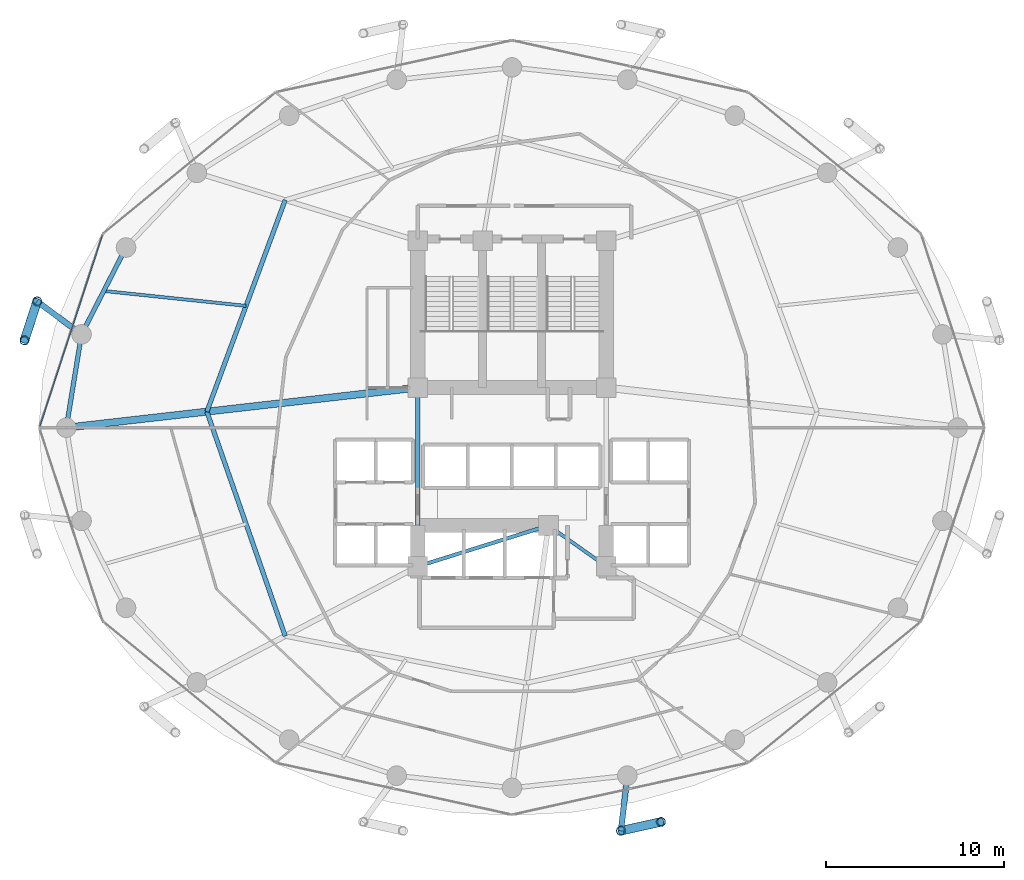
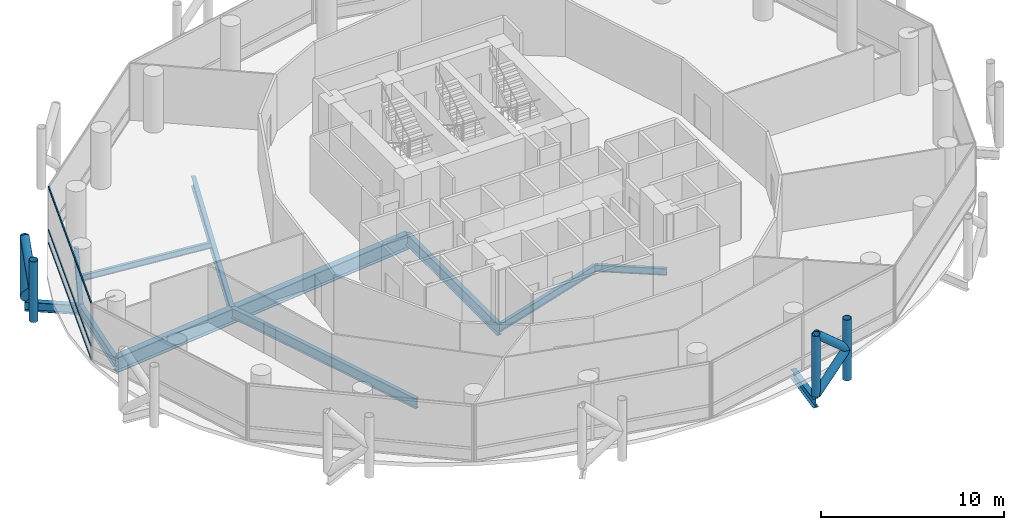
# One storey, part 7 of 24: 11 beams, 11 members, 1 element without a shape of its own.
"""IFC4 building model written with IfcOpenShell, lengths in metres."""

import ifcopenshell
import ifcopenshell.guid

model = None  # the IFC model being written
_history = None  # IfcOwnerHistory: only IFC2X3 demands one
_inside = {}  # id of a spatial element -> (the spatial element, [elements in it])
_under = {}  # id of a project, library or spatial element -> (it, [spatial elements below it])
_declared = {}  # id of a project -> (the project, [libraries it declares])
_typed = {}  # id of a type object -> (the type object, [elements of that type])
_made_of = {}  # id of a material, layer set ... -> (it, [elements and type objects made of it])


def new_model(schema):
    """Start an empty IFC model of exactly this schema.

    Asked for "IFC4X3", IfcOpenShell would pick the latest addendum, in which some entities
    have other attributes; the version numbers below select the first issue.
    IFC2X3 requires an IfcOwnerHistory on every rooted entity: one is made here for all.
    """
    global model, _history
    if schema == "IFC4X3":
        model = ifcopenshell.file(schema_version=(4, 3, 0, 0))
    else:
        model = ifcopenshell.file(schema=schema)
    _inside.clear()
    _under.clear()
    _declared.clear()
    _typed.clear()
    _made_of.clear()
    _history = None
    if model.schema == "IFC2X3":
        org = make("IfcOrganization", Name="unknown")
        user = make(
            "IfcPersonAndOrganization",
            ThePerson=make("IfcPerson", FamilyName="unknown"),
            TheOrganization=org,
        )
        app = make(
            "IfcApplication",
            ApplicationDeveloper=org,
            Version="unknown",
            ApplicationFullName="unknown",
            ApplicationIdentifier="unknown",
        )
        _history = make(
            "IfcOwnerHistory",
            OwningUser=user,
            OwningApplication=app,
            ChangeAction="ADDED",
            CreationDate=0,
        )
    return model


def make(cls, **values):
    """One entity of the class cls with the attributes given. An attribute that is None is left unset."""
    return model.create_entity(
        cls, **{name: value for name, value in values.items() if value is not None}
    )


def rooted(cls, **values):
    """An entity with a GlobalId (a new one), such as an element, a storey or a relation."""
    return make(cls, GlobalId=ifcopenshell.guid.new(), OwnerHistory=_history, **values)


def si_unit(unit_type, name, prefix=None):
    """IfcSIUnit, for example si_unit("LENGTHUNIT", "METRE", prefix="MILLI")."""
    return make("IfcSIUnit", UnitType=unit_type, Prefix=prefix, Name=name)


def assignment(units):
    """IfcUnitAssignment: the units of a project."""
    return None if units is None else make("IfcUnitAssignment", Units=units)


def point(xyz):
    """IfcCartesianPoint."""
    return None if xyz is None else make("IfcCartesianPoint", Coordinates=xyz)


def direction(xyz):
    """IfcDirection."""
    return None if xyz is None else make("IfcDirection", DirectionRatios=xyz)


def frame(location, z_axis=None, x_axis=None):
    """IfcAxis2Placement3D, a coordinate frame: its origin and axes. An axis left out is left unset."""
    return make(
        "IfcAxis2Placement3D",
        Location=point(location),
        Axis=direction(z_axis),
        RefDirection=direction(x_axis),
    )


def frame_2d(location, x_axis=None):
    """IfcAxis2Placement2D, a coordinate frame in the plane: its origin and x axis."""
    return make(
        "IfcAxis2Placement2D", Location=point(location), RefDirection=direction(x_axis)
    )


def origin():
    """The frame at (0, 0, 0) with its axes left unset."""
    return frame((0.0, 0.0, 0.0))


def origin_2d():
    """The frame at (0, 0) in the plane with its x axis left unset."""
    return frame_2d((0.0, 0.0))


def place(relative_to, where):
    """IfcLocalPlacement: puts the frame where relative to a parent placement (None: the world)."""
    return make(
        "IfcLocalPlacement", PlacementRelTo=relative_to, RelativePlacement=where
    )


def context(
    kind, dimensions, precision=None, world=None, true_north=None, identifier=None
):
    """IfcGeometricRepresentationContext, for example the 3D "Model" context."""
    return make(
        "IfcGeometricRepresentationContext",
        ContextIdentifier=identifier,
        ContextType=kind,
        CoordinateSpaceDimension=dimensions,
        Precision=precision,
        WorldCoordinateSystem=world,
        TrueNorth=true_north,
    )


def subcontext(parent, identifier, kind, view, scale=None):
    """IfcGeometricRepresentationSubContext, for example "Body" below "Model"."""
    return make(
        "IfcGeometricRepresentationSubContext",
        ContextIdentifier=identifier,
        ContextType=kind,
        ParentContext=parent,
        TargetScale=scale,
        TargetView=view,
    )


def project(units=None, contexts=None):
    """IfcProject with its units and contexts."""
    return rooted(
        "IfcProject",
        Name="project",
        RepresentationContexts=contexts,
        UnitsInContext=assignment(units),
    )


def spatial(cls, under=None, at=None, **own):
    """A site, building, storey or space (cls), placed at a placement, below another one or the project."""
    s = rooted(cls, ObjectPlacement=at, **own)
    if under is not None:
        _under.setdefault(under.id(), (under, []))[1].append(s)
    return s


def profile(cls, at=None, kind="AREA", **sizes):
    """A parametric profile (cls). Its sizes go by their IFC names, for example OverallWidth=200.0."""
    return make(cls, ProfileType=kind, Position=at, **sizes)


def hollow_rectangle(**sizes):
    """IfcRectangleHollowProfileDef."""
    return profile("IfcRectangleHollowProfileDef", **sizes)


def hollow_circle(**sizes):
    """IfcCircleHollowProfileDef."""
    return profile("IfcCircleHollowProfileDef", **sizes)


def i_section(**sizes):
    """IfcIShapeProfileDef."""
    return profile("IfcIShapeProfileDef", **sizes)


def extrude(swept, where, along, depth):
    """IfcExtrudedAreaSolid: the profile swept, set in the frame where, extruded along a direction by depth."""
    return make(
        "IfcExtrudedAreaSolid",
        SweptArea=swept,
        Position=where,
        ExtrudedDirection=direction(along),
        Depth=depth,
    )


def shape(context_of_items, identifier, shape_type, items):
    """IfcShapeRepresentation: the items that make up one representation, for example the "Body"."""
    return make(
        "IfcShapeRepresentation",
        ContextOfItems=context_of_items,
        RepresentationIdentifier=identifier,
        RepresentationType=shape_type,
        Items=items,
    )


def material(Name=None, Category=None):
    """IfcMaterial."""
    return make("IfcMaterial", Name=Name, Category=Category)


def layer(
    of_material, thickness, ventilated=None, Name=None, Category=None, Priority=None
):
    """IfcMaterialLayer: one layer of a wall or slab, of a material (None: an air gap)."""
    return make(
        "IfcMaterialLayer",
        Material=of_material,
        LayerThickness=thickness,
        IsVentilated=ventilated,
        Name=Name,
        Category=Category,
        Priority=Priority,
    )


def layer_set(layers, Name=None):
    """IfcMaterialLayerSet."""
    return make("IfcMaterialLayerSet", MaterialLayers=layers, LayerSetName=Name)


def material_profile(
    of_material, cross_section, Name=None, Category=None, Priority=None
):
    """IfcMaterialProfile: a cross section and its material."""
    return make(
        "IfcMaterialProfile",
        Name=Name,
        Material=of_material,
        Profile=cross_section,
        Priority=Priority,
        Category=Category,
    )


def profile_set(profiles, Name=None, composite=None):
    """IfcMaterialProfileSet."""
    return make(
        "IfcMaterialProfileSet",
        Name=Name,
        MaterialProfiles=profiles,
        CompositeProfile=composite,
    )


def made_of(thing, what):
    """Note that an element or type object is made of a material, layer set ...; save() writes the relation."""
    if what is not None:
        _made_of.setdefault(what.id(), (what, []))[1].append(thing)
    return thing


def type_object(cls, material=None, **own):
    """A type object (cls), such as IfcWallType, which elements share."""
    return made_of(rooted(cls, **own), material)


def element(
    cls,
    number,
    at=None,
    inside=None,
    cuts=None,
    type_object=None,
    material=None,
    context=None,
    identifier="Body",
    shape_type=None,
    held_by="IfcProductDefinitionShape",
    body=None,
    shapes=None,
    **own,
):
    """One element of the class cls, such as IfcWall. Its Tag is "e" and its number.

    at: its placement. inside: the storey or other place that contains it. cuts: it is an
    opening in that element (IfcRelVoidsElement). A single representation is given by context,
    identifier, shape_type and body (its items); several are given by shapes. held_by: the class
    of the entity that holds the representations. save() writes the other relations.
    """
    e = rooted(cls, Tag="e%d" % number, ObjectPlacement=at, **own)
    if body is not None:
        shapes = [shape(context, identifier, shape_type, body)]
    if shapes is not None:
        e.Representation = make(held_by, Representations=shapes)
    if inside is not None:
        _inside.setdefault(inside.id(), (inside, []))[1].append(e)
    if cuts is not None:
        rooted(
            "IfcRelVoidsElement", RelatingBuildingElement=cuts, RelatedOpeningElement=e
        )
    if type_object is not None:
        _typed.setdefault(type_object.id(), (type_object, []))[1].append(e)
    return made_of(e, material)


def aggregate(whole, parts):
    """IfcRelAggregates: a whole, such as a stair, and the parts it consists of."""
    return rooted("IfcRelAggregates", RelatingObject=whole, RelatedObjects=parts)


def save(model, path):
    """Write the relations noted so far, then the file.

    IfcRelAggregates (storeys below a building ...), IfcRelContainedInSpatialStructure (elements
    in a storey), IfcRelDefinesByType, IfcRelAssociatesMaterial and IfcRelDeclares: one each for
    every whole, place, type object, material and project.
    """
    for whole, parts in _under.values():
        aggregate(whole, parts)
    for where, things in _inside.values():
        rooted(
            "IfcRelContainedInSpatialStructure",
            RelatedElements=things,
            RelatingStructure=where,
        )
    for kind, things in _typed.values():
        rooted("IfcRelDefinesByType", RelatedObjects=things, RelatingType=kind)
    for what, things in _made_of.values():
        rooted("IfcRelAssociatesMaterial", RelatedObjects=things, RelatingMaterial=what)
    for by, libraries in _declared.values():
        rooted("IfcRelDeclares", RelatingContext=by, RelatedDefinitions=libraries)
    model.write(path)


model = new_model("IFC4")

# Units and contexts
model_context = context("Model", 3, precision=1e-05, world=origin(), true_north=direction((0.0, 1.0)))
body_context = subcontext(model_context, "Body", "Model", "MODEL_VIEW")
ifc_project = project(units=[si_unit("LENGTHUNIT", "METRE"), si_unit("AREAUNIT", "SQUARE_METRE"), si_unit("VOLUMEUNIT", "CUBIC_METRE"), si_unit("PLANEANGLEUNIT", "RADIAN"), si_unit("MASSUNIT", "GRAM", prefix="KILO")], contexts=[model_context])

# Site, building, storey
site_placement = place(None, origin())
site = spatial("IfcSite", under=ifc_project, at=site_placement, CompositionType="ELEMENT")
building_placement = place(site_placement, origin())
building = spatial("IfcBuilding", under=site, at=building_placement, Name="Nuhasar Tower", CompositionType="ELEMENT")
storey_placement = place(building_placement, frame((0.0, 0.0, 33.14990234375)))
storey = spatial("IfcBuildingStorey", under=building, at=storey_placement, Name="L07", CompositionType="ELEMENT", Elevation=33.14990234375)

# Beams
ifc_material_1 = material(Name="Steel S355", Category="steel")
ifc_material_profile_1 = material_profile(ifc_material_1, i_section(OverallWidth=0.25390625, OverallDepth=0.68408203125, WebThickness=0.012451171875, FlangeThickness=0.018798828125, at=origin_2d()), Name="W27X94")
ifc_profile_set_1 = profile_set([ifc_material_profile_1], Name="Steel S355")
beam_type_1 = type_object("IfcBeamType", Name="BM-INRING-W27X94", PredefinedType="BEAM", material=ifc_profile_set_1)
beam_1_placement = place(storey_placement, frame((26.251953125, 39.591064453125, -0.601806640625), z_axis=(-0.34715757476, -0.937806812881, 0.0), x_axis=(0.937806812881, -0.34715757476, 0.0)))
element("IfcBeam", 1, at=beam_1_placement, inside=storey, type_object=beam_type_1, Name="L07 Inner Header Beam 07", PredefinedType="BEAM", context=body_context, shape_type="SweptSolid", body=[
    extrude(i_section(OverallWidth=0.25390625, OverallDepth=0.68408203125, WebThickness=0.012451171875, FlangeThickness=0.018798828125, at=origin_2d()), origin(), (0.0, 0.0, 1.0), 12.6796875),
])
beam_2_placement = place(storey_placement, frame((21.85009765625, 27.699951171875, -0.601806640625), z_axis=(0.329554049858, -0.944136710558, 0.0), x_axis=(0.944136710558, 0.329554049858, 0.0)))
element("IfcBeam", 2, at=beam_2_placement, inside=storey, type_object=beam_type_1, Name="L07 Inner Header Beam 08", PredefinedType="BEAM", context=body_context, shape_type="SweptSolid", body=[
    extrude(i_section(OverallWidth=0.25390625, OverallDepth=0.68408203125, WebThickness=0.012451171875, FlangeThickness=0.018798828125, at=origin_2d()), origin(), (0.0, 0.0, 1.0), 13.35693359375),
])
ifc_material_profile_2 = material_profile(ifc_material_1, i_section(OverallWidth=0.177978515625, OverallDepth=0.406005859375, WebThickness=0.0078125, FlangeThickness=0.0126953125, at=origin_2d()), Name="W16X40")
ifc_profile_set_2 = profile_set([ifc_material_profile_2], Name="Steel S355")
beam_type_2 = type_object("IfcBeamType", Name="BM-JST-W16X40", PredefinedType="JOIST", material=ifc_profile_set_2)
beam_3_placement = place(storey_placement, frame((24.051025390625, 33.64501953125, -0.462890625), z_axis=(-0.994554594377, 0.104216883485, 0.0), x_axis=(-0.104216883485, -0.994554594377, 0.0)))
element("IfcBeam", 3, at=beam_3_placement, inside=storey, type_object=beam_type_2, Name="L07 Secondary Floor Joist 07", PredefinedType="JOIST", context=body_context, shape_type="SweptSolid", body=[
    extrude(i_section(OverallWidth=0.177978515625, OverallDepth=0.406005859375, WebThickness=0.0078125, FlangeThickness=0.0126953125, at=origin_2d()), origin(), (0.0, 0.0, 1.0), 8.039794921875),
])
ifc_material_profile_3 = material_profile(ifc_material_1, i_section(OverallWidth=0.18994140625, OverallDepth=0.45703125, WebThickness=0.009033203125, FlangeThickness=0.014404296875, at=origin_2d()), Name="W18X50")
ifc_profile_set_3 = profile_set([ifc_material_profile_3], Name="Steel S355")
beam_type_3 = type_object("IfcBeamType", Name="BM-RAD-W18X50", PredefinedType="BEAM", material=ifc_profile_set_3)
beam_4_placement = place(storey_placement, frame((41.050048828125, 21.300048828125, -0.48779296875), z_axis=(0.816265428953, -0.577677028708, 0.0), x_axis=(0.577677028708, 0.816265428953, 0.0)))
element("IfcBeam", 4, at=beam_4_placement, inside=storey, type_object=beam_type_3, Name="L07 Core Ring Girder 2", PredefinedType="BEAM", context=body_context, shape_type="SweptSolid", body=[
    extrude(i_section(OverallWidth=0.18994140625, OverallDepth=0.45703125, WebThickness=0.009033203125, FlangeThickness=0.014404296875, at=origin_2d()), origin(), (0.0, 0.0, 1.0), 3.9814453125),
])
ifc_material_profile_4 = material_profile(ifc_material_1, i_section(OverallWidth=0.208984375, OverallDepth=0.532958984375, WebThickness=0.01025390625, FlangeThickness=0.015625, at=origin_2d()), Name="W21X62")
ifc_profile_set_4 = profile_set([ifc_material_profile_4], Name="Steel S355")
beam_type_4 = type_object("IfcBeamType", Name="BM-RAD-W21X62", PredefinedType="BEAM", material=ifc_profile_set_4)
beam_5_placement = place(storey_placement, frame((33.699951171875, 19.0, -0.52685546875), z_axis=(0.954363709454, 0.298646798205, 0.0), x_axis=(-0.298646798205, 0.954363709454, 0.0)))
element("IfcBeam", 5, at=beam_5_placement, inside=storey, type_object=beam_type_4, Name="L07 Core Ring Girder 1", PredefinedType="BEAM", context=body_context, shape_type="SweptSolid", body=[
    extrude(i_section(OverallWidth=0.208984375, OverallDepth=0.532958984375, WebThickness=0.01025390625, FlangeThickness=0.015625, at=origin_2d()), origin(), (0.0, 0.0, 1.0), 7.70166015625),
])
ifc_material_profile_5 = material_profile(ifc_material_1, i_section(OverallWidth=0.26611328125, OverallDepth=0.779052734375, WebThickness=0.0166015625, FlangeThickness=0.030029296875, at=origin_2d()), Name="W30X148")
ifc_profile_set_5 = profile_set([ifc_material_profile_5], Name="Steel S355")
beam_type_5 = type_object("IfcBeamType", Name="BM-RAD-W30X148", PredefinedType="BEAM", material=ifc_profile_set_5)
beam_6_placement = place(storey_placement, frame((33.699951171875, 29.050048828125, -0.64892578125), z_axis=(0.0, -1.0, 0.0), x_axis=(1.0, 0.0, 0.0)))
element("IfcBeam", 6, at=beam_6_placement, inside=storey, type_object=beam_type_5, Name="L07 Core Ring Girder 8", PredefinedType="BEAM", context=body_context, shape_type="SweptSolid", body=[
    extrude(i_section(OverallWidth=0.26611328125, OverallDepth=0.779052734375, WebThickness=0.0166015625, FlangeThickness=0.030029296875, at=origin_2d()), origin(), (0.0, 0.0, 1.0), 10.050048828125),
])
ifc_material_profile_6 = material_profile(ifc_material_1, i_section(OverallWidth=0.256103515625, OverallDepth=0.693115234375, WebThickness=0.014404296875, FlangeThickness=0.023681640625, at=origin_2d()), Name="W27X114")
ifc_profile_set_6 = profile_set([ifc_material_profile_6], Name="Steel S355")
beam_type_6 = type_object("IfcBeamType", Name="BM-RING-W27X114", PredefinedType="SPANDREL", material=ifc_profile_set_6)
beam_7_placement = place(storey_placement, frame((17.305908203125, 36.925048828125, -0.60595703125), z_axis=(-0.455930023905, -0.890015625314, 0.0), x_axis=(0.890015625314, -0.455930023905, 0.0)))
element("IfcBeam", 7, at=beam_7_placement, inside=storey, type_object=beam_type_6, Name="L07 Perimeter Ring Spandrel 11", PredefinedType="SPANDREL", context=body_context, shape_type="SweptSolid", body=[
    extrude(i_section(OverallWidth=0.256103515625, OverallDepth=0.693115234375, WebThickness=0.014404296875, FlangeThickness=0.023681640625, at=origin_2d()), origin(), (0.0, 0.0, 1.0), 5.487548828125),
])
beam_8_placement = place(storey_placement, frame((14.803955078125, 32.041015625, -0.60595703125), z_axis=(-0.160826635486, -0.986982671235, 0.0), x_axis=(0.986982671235, -0.160826635486, 0.0)))
element("IfcBeam", 8, at=beam_8_placement, inside=storey, type_object=beam_type_6, Name="L07 Perimeter Ring Spandrel 12", PredefinedType="SPANDREL", context=body_context, shape_type="SweptSolid", body=[
    extrude(i_section(OverallWidth=0.256103515625, OverallDepth=0.693115234375, WebThickness=0.014404296875, FlangeThickness=0.023681640625, at=origin_2d()), origin(), (0.0, 0.0, 1.0), 5.31005859375),
])
ifc_material_profile_7 = material_profile(ifc_material_1, i_section(OverallWidth=0.323974609375, OverallDepth=0.611083984375, WebThickness=0.0126953125, FlangeThickness=0.01904296875, at=origin_2d()), Name="W24X104")
ifc_profile_set_7 = profile_set([ifc_material_profile_7], Name="Steel S355")
beam_type_7 = type_object("IfcBeamType", Name="BM-TIE-W24X104", PredefinedType="BEAM", material=ifc_profile_set_7)
beam_9_placement = place(storey_placement, frame((14.803955078125, 32.041015625, -0.56591796875), z_axis=(-0.802151061326, 0.597121155892, 0.0), x_axis=(-0.597121155892, -0.802151061326, 0.0)))
element("IfcBeam", 9, at=beam_9_placement, inside=storey, type_object=beam_type_7, Name="L07 Exoskeleton Node Tie Beam 06", PredefinedType="BEAM", context=body_context, shape_type="SweptSolid", body=[
    extrude(i_section(OverallWidth=0.323974609375, OverallDepth=0.611083984375, WebThickness=0.0126953125, FlangeThickness=0.01904296875, at=origin_2d()), origin(), (0.0, 0.0, 1.0), 3.111328125),
])
beam_10_placement = place(storey_placement, frame((45.48291015625, 7.239990234375, -0.56591796875), z_axis=(-0.115042934281, -0.993360520291, 0.0), x_axis=(0.993360520291, -0.115042934281, 0.0)))
element("IfcBeam", 10, at=beam_10_placement, inside=storey, type_object=beam_type_7, Name="L07 Exoskeleton Node Tie Beam 10", PredefinedType="BEAM", context=body_context, shape_type="SweptSolid", body=[
    extrude(i_section(OverallWidth=0.323974609375, OverallDepth=0.611083984375, WebThickness=0.0126953125, FlangeThickness=0.01904296875, at=origin_2d()), origin(), (0.0, 0.0, 1.0), 3.11962890625),
])
ifc_material_2 = material(Name="Steel S460", Category="steel")
ifc_material_profile_8 = material_profile(ifc_material_2, i_section(OverallWidth=0.40087890625, OverallDepth=1.010009765625, WebThickness=0.023681640625, FlangeThickness=0.0419921875, at=origin_2d()), Name="W40X297")
ifc_profile_set_8 = profile_set([ifc_material_profile_8], Name="Steel S460")
beam_type_8 = type_object("IfcBeamType", Name="BM-XFER-W40X297", PredefinedType="USERDEFINED", material=ifc_profile_set_8)
beam_11_placement = place(storey_placement, frame((33.699951171875, 29.050048828125, -0.764892578125), z_axis=(-0.993573147212, -0.113191877531, 0.0), x_axis=(0.113191877531, -0.993573147212, 0.0)))
element("IfcBeam", 11, at=beam_11_placement, inside=storey, type_object=beam_type_8, Name="L07 Radial Floor Girder 08", ObjectType="GIRDER", PredefinedType="USERDEFINED", context=body_context, shape_type="SweptSolid", body=[
    extrude(i_section(OverallWidth=0.40087890625, OverallDepth=1.010009765625, WebThickness=0.023681640625, FlangeThickness=0.0419921875, at=origin_2d()), origin(), (0.0, 0.0, 1.0), 19.877685546875),
])

# Curtain wall, members
ifc_material_3 = material(Name="Aluminium 6063-T6", Category="aluminium")
ifc_layer = layer(ifc_material_3, 0.199951171875)
ifc_layer_set = layer_set([ifc_layer], Name="Aluminium 6063-T6")
curtain_wall_type = type_object("IfcCurtainWallType", Name="CW-Z1-OFF", PredefinedType="NOTDEFINED", material=ifc_layer_set)
curtain_wall_placement = place(storey_placement, origin())
curtain_wall = element("IfcCurtainWall", 12, at=curtain_wall_placement, inside=storey, type_object=curtain_wall_type, Name="L07 Unitised Curtain Wall 06", PredefinedType="NOTDEFINED")
ifc_material_profile_9 = material_profile(ifc_material_3, hollow_rectangle(XDim=0.06494140625, YDim=0.14990234375, WallThickness=0.00439453125, at=origin_2d()), Name="CWT-2")
ifc_profile_set_9 = profile_set([ifc_material_profile_9], Name="Aluminium 6063-T6")
member_type_1 = type_object("IfcMemberType", Name="CW-TRN-S2", PredefinedType="USERDEFINED", material=ifc_profile_set_9)
member_1_placement = place(storey_placement, frame((15.977783203125, 37.6181640625, 0.03271484375), z_axis=(-0.31082506089, -0.950467138581, 0.0), x_axis=(0.950467138581, -0.31082506089, 0.0)))
member_1 = element("IfcMember", 13, at=member_1_placement, type_object=member_type_1, Name="CW-Z1 transom 1.1", ObjectType="TRANSOM", PredefinedType="USERDEFINED", context=body_context, shape_type="SweptSolid", body=[
    extrude(hollow_rectangle(XDim=0.06494140625, YDim=0.14990234375, WallThickness=0.00439453125, at=origin_2d()), origin(), (0.0, 0.0, 1.0), 11.31689453125),
])
member_2_placement = place(storey_placement, frame((15.977783203125, 37.6181640625, 0.900146484375), z_axis=(-0.31082506089, -0.950467138581, 0.0), x_axis=(0.950467138581, -0.31082506089, 0.0)))
member_2 = element("IfcMember", 14, at=member_2_placement, type_object=member_type_1, Name="CW-Z1 transom 1.2", ObjectType="TRANSOM", PredefinedType="USERDEFINED", context=body_context, shape_type="SweptSolid", body=[
    extrude(hollow_rectangle(XDim=0.06494140625, YDim=0.14990234375, WallThickness=0.00439453125, at=origin_2d()), origin(), (0.0, 0.0, 1.0), 11.31689453125),
])
member_3_placement = place(storey_placement, frame((15.977783203125, 37.6181640625, 3.757568359375), z_axis=(-0.31082506089, -0.950467138581, 0.0), x_axis=(0.950467138581, -0.31082506089, 0.0)))
member_3 = element("IfcMember", 15, at=member_3_placement, type_object=member_type_1, Name="CW-Z1 transom 1.3", ObjectType="TRANSOM", PredefinedType="USERDEFINED", context=body_context, shape_type="SweptSolid", body=[
    extrude(hollow_rectangle(XDim=0.06494140625, YDim=0.14990234375, WallThickness=0.00439453125, at=origin_2d()), origin(), (0.0, 0.0, 1.0), 11.31689453125),
])
aggregate(curtain_wall, [member_1, member_2, member_3])

# Members
ifc_material_profile_10 = material_profile(ifc_material_2, hollow_circle(Radius=0.25390625, WallThickness=0.025390625, at=origin_2d()), Name="HSS508X25.4")
ifc_profile_set_10 = profile_set([ifc_material_profile_10], Name="Steel S460")
member_type_2 = type_object("IfcMemberType", Name="EXO-BRONZE-508", PredefinedType="BRACE", material=ifc_profile_set_10)
for number, where, z_axis, x_axis, name in (
    (16, (12.30810546875, 33.89892578125, 0.0), (0.0, 0.0, 1.0), (1.0, 0.0, 0.0), "L07 Exoskeleton Chord Column EC-06A"),
    (17, (11.60009765625, 31.7099609375, 0.0), (0.0, 0.0, 1.0), (1.0, 0.0, 0.0), "L07 Exoskeleton Chord Column EC-06B"),
    (18, (45.1240234375, 4.14111328125, 0.0), (0.0, 0.0, 1.0), (1.0, 0.0, 0.0), "L07 Exoskeleton Chord Column EC-10A"),
    (19, (47.3701171875, 4.639892578125, 0.0), (0.0, 0.0, 1.0), (1.0, 0.0, 0.0), "L07 Exoskeleton Chord Column EC-10B"),
):
    element("IfcMember", number, at=place(storey_placement, frame(where, z_axis=z_axis, x_axis=x_axis)), inside=storey, type_object=member_type_2, Name=name, PredefinedType="BRACE", context=body_context, shape_type="SweptSolid", body=[
        extrude(hollow_circle(Radius=0.25390625, WallThickness=0.025390625, at=origin_2d()), origin(), (0.0, 0.0, 1.0), 4.050048828125),
    ])
member_4_placement = place(storey_placement, frame((12.30810546875, 33.89892578125, 0.0), z_axis=(-0.230999678299, -0.714187281251, 0.660738734997), x_axis=(0.951468282519, -0.307746823478, 0.0)))
element("IfcMember", 20, at=member_4_placement, inside=storey, type_object=member_type_2, Name="L07 Bronze Diagrid Brace W1-06", PredefinedType="BRACE", context=body_context, shape_type="SweptSolid", body=[
    extrude(hollow_circle(Radius=0.25390625, WallThickness=0.025390625, at=origin_2d()), origin(), (0.0, 0.0, 1.0), 3.06494140625),
])
member_5_placement = place(storey_placement, frame((11.60009765625, 31.7099609375, 2.025146484375), z_axis=(0.231011836313, 0.714224870475, 0.660693851854), x_axis=(-0.951468282519, 0.307746823478, 0.0)))
element("IfcMember", 21, at=member_5_placement, inside=storey, type_object=member_type_2, Name="L07 Bronze Diagrid Brace W2-06", PredefinedType="BRACE", context=body_context, shape_type="SweptSolid", body=[
    extrude(hollow_circle(Radius=0.25390625, WallThickness=0.025390625, at=origin_2d()), origin(), (0.0, 0.0, 1.0), 3.064697265625),
])
member_6_placement = place(storey_placement, frame((45.1240234375, 4.14111328125, 0.0), z_axis=(0.732792408767, 0.162727705556, 0.660707938122), x_axis=(-0.216784396973, 0.976219506683, 0.0)))
element("IfcMember", 22, at=member_6_placement, inside=storey, type_object=member_type_2, Name="L07 Bronze Diagrid Brace W1-10", PredefinedType="BRACE", context=body_context, shape_type="SweptSolid", body=[
    extrude(hollow_circle(Radius=0.25390625, WallThickness=0.025390625, at=origin_2d()), origin(), (0.0, 0.0, 1.0), 3.065185546875),
])
member_7_placement = place(storey_placement, frame((47.3701171875, 4.639892578125, 2.025146484375), z_axis=(-0.732830973624, -0.162736269469, 0.66066305383), x_axis=(0.216784396973, -0.976219506683, 0.0)))
element("IfcMember", 23, at=member_7_placement, inside=storey, type_object=member_type_2, Name="L07 Bronze Diagrid Brace W2-10", PredefinedType="BRACE", context=body_context, shape_type="SweptSolid", body=[
    extrude(hollow_circle(Radius=0.25390625, WallThickness=0.025390625, at=origin_2d()), origin(), (0.0, 0.0, 1.0), 3.06494140625),
])

save(model, "model.ifc")
